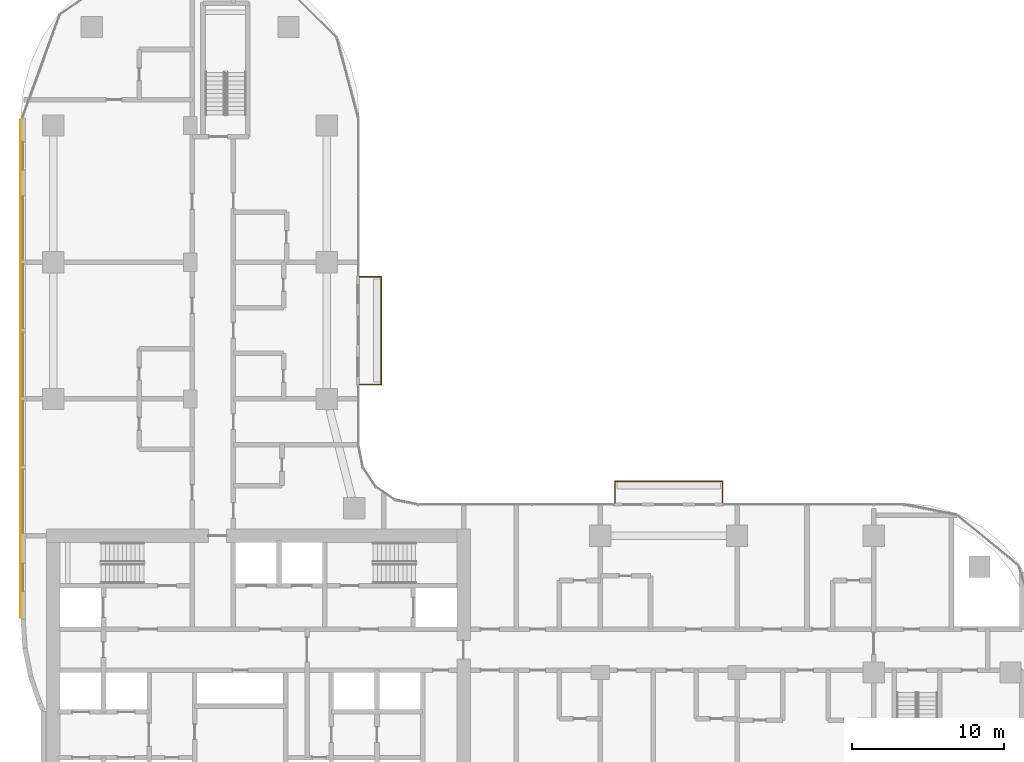
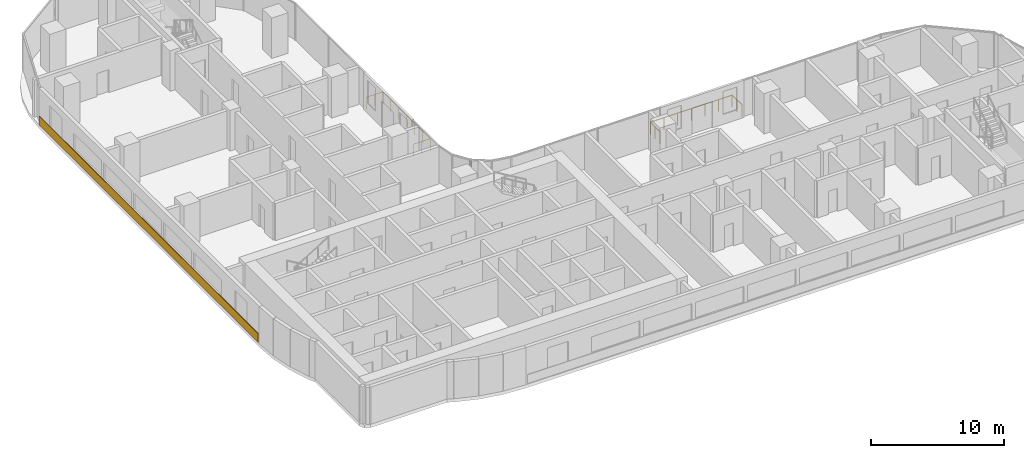
# One storey, part 30 of 32: 2 railings, 1 covering.
"""IFC4 building model written with IfcOpenShell, lengths in metres."""

from ifc_helpers import new_model, si_unit, direction, frame, origin, origin_2d, place, context, subcontext, project, spatial, rectangle, circle, extrude, material, layer, layer_set, type_object, element, save


model = new_model("IFC4")

# Units and contexts
model_context = context("Model", 3, precision=1e-05, world=origin(), true_north=direction((0.0, 1.0)))
body_context = subcontext(model_context, "Body", "Model", "MODEL_VIEW")
ifc_project = project(units=[si_unit("LENGTHUNIT", "METRE"), si_unit("AREAUNIT", "SQUARE_METRE"), si_unit("VOLUMEUNIT", "CUBIC_METRE"), si_unit("PLANEANGLEUNIT", "RADIAN"), si_unit("MASSUNIT", "GRAM", prefix="KILO")], contexts=[model_context])

# Site, building, storey
site_placement = place(None, origin())
site = spatial("IfcSite", under=ifc_project, at=site_placement, CompositionType="ELEMENT")
building_placement = place(site_placement, origin())
building = spatial("IfcBuilding", under=site, at=building_placement, Name="Ogive Portal Towers", CompositionType="ELEMENT")
storey_placement = place(building_placement, frame((0.0, 0.0, 55.699951171875)))
storey = spatial("IfcBuildingStorey", under=building, at=storey_placement, Name="L12", CompositionType="ELEMENT", Elevation=55.699951171875)

# Railings
ifc_material_1 = material(Name="Steel S355", Category="steel")
railing_type = type_object("IfcRailingType", Name="BALUSTRADE GLASS 1100", PredefinedType="BALUSTRADE", material=ifc_material_1)
railing_1_placement = place(storey_placement, frame((68.4599609375, 41.64501953125, 0.0)))
element("IfcRailing", 1, at=railing_1_placement, inside=storey, type_object=railing_type, Name="A:L12:bal:T2:rail", PredefinedType="BALUSTRADE", context=body_context, shape_type="SweptSolid", body=[
    extrude(circle(Radius=0.02392578125, at=origin_2d()), frame((0.0, 0.0, 1.076171875), z_axis=(0.0, 1.0, 0.0), x_axis=(-1.0, 0.0, 0.0)), (0.0, 0.0, 1.0), 1.43994140625),
    extrude(circle(Radius=0.02392578125, at=origin_2d()), frame((0.0, 1.43994140625, 1.076171875), z_axis=(1.0, 0.0, 0.0), x_axis=(0.0, 1.0, 0.0)), (0.0, 0.0, 1.0), 7.080078125),
    extrude(circle(Radius=0.02392578125, at=origin_2d()), frame((7.080078125, 1.43994140625, 1.076171875), z_axis=(0.0, -1.0, 0.0), x_axis=(1.0, 0.0, 0.0)), (0.0, 0.0, 1.0), 1.43994140625),
    extrude(circle(Radius=0.02099609375, at=origin_2d()), origin(), (0.0, 0.0, 1.0), 1.052001953125),
    extrude(circle(Radius=0.02099609375, at=origin_2d()), frame((0.0, 0.719970703125, 0.0)), (0.0, 0.0, 1.0), 1.052001953125),
    extrude(circle(Radius=0.02099609375, at=origin_2d()), frame((0.0, 1.43994140625, 0.0)), (0.0, 0.0, 1.0), 1.052001953125),
    extrude(circle(Radius=0.02099609375, at=origin_2d()), frame((1.179931640625, 1.43994140625, 0.0)), (0.0, 0.0, 1.0), 1.052001953125),
    extrude(circle(Radius=0.02099609375, at=origin_2d()), frame((2.360107421875, 1.43994140625, 0.0)), (0.0, 0.0, 1.0), 1.052001953125),
    extrude(circle(Radius=0.02099609375, at=origin_2d()), frame((3.5400390625, 1.43994140625, 0.0)), (0.0, 0.0, 1.0), 1.052001953125),
    extrude(circle(Radius=0.02099609375, at=origin_2d()), frame((4.719970703125, 1.43994140625, 0.0)), (0.0, 0.0, 1.0), 1.052001953125),
    extrude(circle(Radius=0.02099609375, at=origin_2d()), frame((5.900146484375, 1.43994140625, 0.0)), (0.0, 0.0, 1.0), 1.052001953125),
    extrude(circle(Radius=0.02099609375, at=origin_2d()), frame((7.080078125, 1.43994140625, 0.0)), (0.0, 0.0, 1.0), 1.052001953125),
    extrude(circle(Radius=0.02099609375, at=origin_2d()), frame((7.080078125, 0.719970703125, 0.0)), (0.0, 0.0, 1.0), 1.052001953125),
    extrude(circle(Radius=0.02099609375, at=origin_2d()), frame((7.080078125, 0.0, 0.0)), (0.0, 0.0, 1.0), 1.052001953125),
])
railing_2_placement = place(storey_placement, frame((51.64501953125, 49.4599609375, 0.0)))
element("IfcRailing", 2, at=railing_2_placement, inside=storey, type_object=railing_type, Name="A:L12:bal:S1:rail", PredefinedType="BALUSTRADE", context=body_context, shape_type="SweptSolid", body=[
    extrude(circle(Radius=0.02392578125, at=origin_2d()), frame((0.0, 0.0, 1.076171875), z_axis=(1.0, 0.0, 0.0), x_axis=(0.0, 1.0, 0.0)), (0.0, 0.0, 1.0), 1.43994140625),
    extrude(circle(Radius=0.02392578125, at=origin_2d()), frame((1.43994140625, 0.0, 1.076171875), z_axis=(0.0, 1.0, 0.0), x_axis=(-1.0, 0.0, 0.0)), (0.0, 0.0, 1.0), 7.080078125),
    extrude(circle(Radius=0.02392578125, at=origin_2d()), frame((1.43994140625, 7.080078125, 1.076171875), z_axis=(-1.0, 0.0, 0.0), x_axis=(0.0, -1.0, 0.0)), (0.0, 0.0, 1.0), 1.43994140625),
    extrude(circle(Radius=0.02099609375, at=origin_2d()), origin(), (0.0, 0.0, 1.0), 1.052001953125),
    extrude(circle(Radius=0.02099609375, at=origin_2d()), frame((0.719970703125, 0.0, 0.0)), (0.0, 0.0, 1.0), 1.052001953125),
    extrude(circle(Radius=0.02099609375, at=origin_2d()), frame((1.43994140625, 0.0, 0.0)), (0.0, 0.0, 1.0), 1.052001953125),
    extrude(circle(Radius=0.02099609375, at=origin_2d()), frame((1.43994140625, 1.179931640625, 0.0)), (0.0, 0.0, 1.0), 1.052001953125),
    extrude(circle(Radius=0.02099609375, at=origin_2d()), frame((1.43994140625, 2.360107421875, 0.0)), (0.0, 0.0, 1.0), 1.052001953125),
    extrude(circle(Radius=0.02099609375, at=origin_2d()), frame((1.43994140625, 3.5400390625, 0.0)), (0.0, 0.0, 1.0), 1.052001953125),
    extrude(circle(Radius=0.02099609375, at=origin_2d()), frame((1.43994140625, 4.719970703125, 0.0)), (0.0, 0.0, 1.0), 1.052001953125),
    extrude(circle(Radius=0.02099609375, at=origin_2d()), frame((1.43994140625, 5.900146484375, 0.0)), (0.0, 0.0, 1.0), 1.052001953125),
    extrude(circle(Radius=0.02099609375, at=origin_2d()), frame((1.43994140625, 7.080078125, 0.0)), (0.0, 0.0, 1.0), 1.052001953125),
    extrude(circle(Radius=0.02099609375, at=origin_2d()), frame((0.719970703125, 7.080078125, 0.0)), (0.0, 0.0, 1.0), 1.052001953125),
    extrude(circle(Radius=0.02099609375, at=origin_2d()), frame((0.0, 7.080078125, 0.0)), (0.0, 0.0, 1.0), 1.052001953125),
])

# Covering
ifc_material_2 = material(Name="Limestone cladding on lightweight block wall", Category="masonry")
ifc_layer = layer(ifc_material_2, 0.050048828125)
ifc_layer_set = layer_set([ifc_layer], Name="SCREEN PERFORATED STONE")
covering_type = type_object("IfcCoveringType", Name="SCREEN PERFORATED STONE", PredefinedType="CLADDING", material=ifc_layer_set)
covering_placement = place(storey_placement, frame((29.330078125, 50.497802734375, 0.10009765625), z_axis=(0.0, 0.0, 1.0), x_axis=(0.0, -1.0, 0.0)))
element("IfcCovering", 3, at=covering_placement, inside=storey, type_object=covering_type, Name="Tracery screen", PredefinedType="CLADDING", context=body_context, shape_type="SweptSolid", body=[
    extrude(rectangle(XDim=32.776123046875, YDim=0.050048828125, at=origin_2d()), origin(), (0.0, 0.0, 1.0), 0.800048828125),
])

save(model, "model.ifc")
